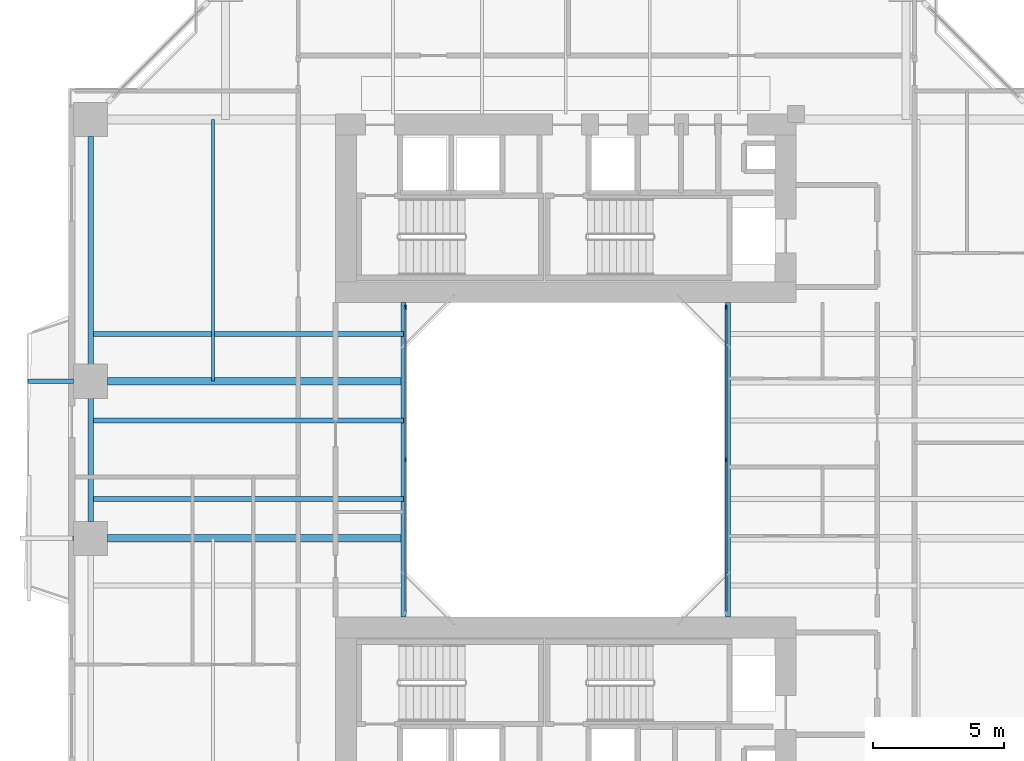
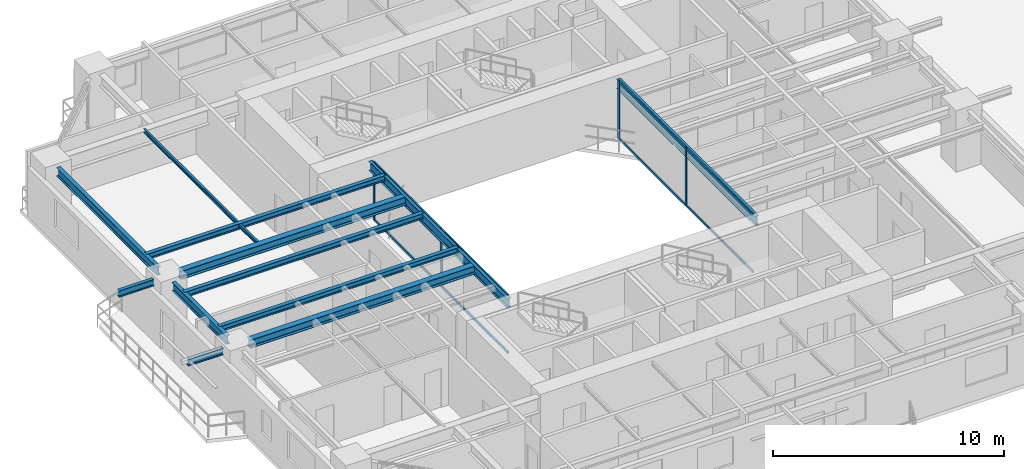
# One storey, part 3 of 22: 12 beams, 12 members, 2 elements without a shape of their own.
"""IFC4 building model written with IfcOpenShell, lengths in metres."""

from ifc_helpers import new_model, si_unit, direction, frame, origin, origin_2d, place, context, subcontext, project, spatial, rectangle, i_section, extrude, source, transform, mapped, material, layer, layer_set, material_profile, profile_set, type_object, element, aggregate, save


model = new_model("IFC4")

# Units and contexts
model_context = context("Model", 3, precision=1e-05, world=origin(), true_north=direction((0.0, 1.0)))
body_context = subcontext(model_context, "Body", "Model", "MODEL_VIEW")
ifc_project = project(units=[si_unit("LENGTHUNIT", "METRE"), si_unit("AREAUNIT", "SQUARE_METRE"), si_unit("VOLUMEUNIT", "CUBIC_METRE"), si_unit("PLANEANGLEUNIT", "RADIAN"), si_unit("MASSUNIT", "GRAM", prefix="KILO"), si_unit("THERMODYNAMICTEMPERATUREUNIT", "KELVIN"), si_unit("POWERUNIT", "WATT")], contexts=[model_context])

# Site, building, storey
site_placement = place(None, origin())
site = spatial("IfcSite", under=ifc_project, at=site_placement, CompositionType="ELEMENT")
building_placement = place(site_placement, origin())
building = spatial("IfcBuilding", under=site, at=building_placement, Name="Qiaomeng Ring Towers", CompositionType="ELEMENT")
storey_placement = place(building_placement, frame((0.0, 0.0, 23.0)))
storey = spatial("IfcBuildingStorey", under=building, at=storey_placement, Name="L05", CompositionType="ELEMENT", Elevation=23.0)

# Beams
ifc_material_1 = material(Name="Steel Q355B", Category="steel")
ifc_material_profile_1 = material_profile(ifc_material_1, i_section(OverallWidth=0.199951171875, OverallDepth=0.5, WebThickness=0.010009765625, FlangeThickness=0.01611328125, FilletRadius=0.02001953125, at=origin_2d()), Name="HN 500x200x10x16")
ifc_profile_set_1 = profile_set([ifc_material_profile_1], Name="Steel Q355B")
beam_type_1 = type_object("IfcBeamType", Name="STR-BM-HN500", PredefinedType="BEAM", material=ifc_profile_set_1)
shared_shape_1 = source(origin(), body_context, "Body", "SweptSolid", [
    extrude(i_section(OverallWidth=0.199951171875, OverallDepth=0.5, WebThickness=0.010009765625, FlangeThickness=0.01611328125, FilletRadius=0.02001953125, at=origin_2d()), origin(), (0.0, 0.0, 1.0), 12.0),
])
for number, where, z_axis, x_axis, name in (
    (1, (12.800048828125, 17.0, 2.820068359375), (0.0, 1.0, 0.0), (-1.0, 0.0, 0.0), "L05 beam STR-BM-L05-WELL-W"),
    (2, (25.199951171875, 17.0, 2.820068359375), (0.0, 1.0, 0.0), (-1.0, 0.0, 0.0), "L05 beam STR-BM-L05-WELL-E"),
):
    element("IfcBeam", number, at=place(storey_placement, frame(where, z_axis=z_axis, x_axis=x_axis)), inside=storey, type_object=beam_type_1, Name=name, PredefinedType="BEAM", context=body_context, shape_type="MappedRepresentation", body=[
        mapped(shared_shape_1, transform((0.0, 0.0, 0.0), x_axis=(1.0, 0.0, 0.0), y_axis=(0.0, 1.0, 0.0), z_axis=(0.0, 0.0, 1.0), scale=1.0)),
    ])
ifc_material_profile_2 = material_profile(ifc_material_1, i_section(OverallWidth=0.199951171875, OverallDepth=0.449951171875, WebThickness=0.009033203125, FlangeThickness=0.013916015625, FilletRadius=0.01806640625, at=origin_2d()), Name="HN 450x200x9x14")
ifc_profile_set_2 = profile_set([ifc_material_profile_2], Name="Steel Q355B")
beam_type_2 = type_object("IfcBeamType", Name="STR-BM-HN450", PredefinedType="SPANDREL", material=ifc_profile_set_2)
shared_shape_2 = source(origin(), body_context, "Body", "SweptSolid", [
    extrude(i_section(OverallWidth=0.199951171875, OverallDepth=0.449951171875, WebThickness=0.009033203125, FlangeThickness=0.013916015625, FilletRadius=0.01806640625, at=origin_2d()), origin(), (0.0, 0.0, 1.0), 8.7021484375),
])
beam_1_placement = place(storey_placement, frame((0.85009765625, 35.35107421875, 2.844970703125), z_axis=(0.0, -1.0, 0.0), x_axis=(1.0, 0.0, 0.0)))
element("IfcBeam", 3, at=beam_1_placement, inside=storey, type_object=beam_type_2, Name="L05 beam STR-SP-L05-T1-W4-W3", PredefinedType="SPANDREL", context=body_context, shape_type="MappedRepresentation", body=[
    mapped(shared_shape_2, transform((0.0, 0.0, 0.0), x_axis=(1.0, 0.0, 0.0), y_axis=(0.0, 1.0, 0.0), z_axis=(0.0, 0.0, 1.0), scale=1.0)),
])
shared_shape_3 = source(origin(), body_context, "Body", "SweptSolid", [
    extrude(i_section(OverallWidth=0.199951171875, OverallDepth=0.449951171875, WebThickness=0.009033203125, FlangeThickness=0.013916015625, FilletRadius=0.01806640625, at=origin_2d()), origin(), (0.0, 0.0, 1.0), 4.7021484375),
])
beam_2_placement = place(storey_placement, frame((0.85009765625, 25.35107421875, 2.844970703125), z_axis=(0.0, -1.0, 0.0), x_axis=(1.0, 0.0, 0.0)))
element("IfcBeam", 4, at=beam_2_placement, inside=storey, type_object=beam_type_2, Name="L05 beam STR-SP-L05-T1-W3-W2", PredefinedType="SPANDREL", context=body_context, shape_type="MappedRepresentation", body=[
    mapped(shared_shape_3, transform((0.0, 0.0, 0.0), x_axis=(1.0, 0.0, 0.0), y_axis=(0.0, 1.0, 0.0), z_axis=(0.0, 0.0, 1.0), scale=1.0)),
])
ifc_material_profile_3 = material_profile(ifc_material_1, i_section(OverallWidth=0.300048828125, OverallDepth=0.43994140625, WebThickness=0.010986328125, FlangeThickness=0.01806640625, FilletRadius=0.02392578125, at=origin_2d()), Name="HM 440x300x11x18")
ifc_profile_set_3 = profile_set([ifc_material_profile_3], Name="Steel Q355B")
beam_type_3 = type_object("IfcBeamType", Name="STR-BM-HM440", PredefinedType="BEAM", material=ifc_profile_set_3)
shared_shape_4 = source(origin(), body_context, "Body", "SweptSolid", [
    extrude(i_section(OverallWidth=0.300048828125, OverallDepth=0.43994140625, WebThickness=0.010986328125, FlangeThickness=0.01806640625, FilletRadius=0.02392578125, at=origin_2d()), origin(), (0.0, 0.0, 1.0), 11.301025390625),
])
for number, where, z_axis, x_axis, name in (
    (5, (1.4990234375, 20.0, 2.85009765625), (1.0, 0.0, 0.0), (0.0, 1.0, 0.0), "L05 beam STR-BM-L05-T1-RAD-W2"),
    (6, (1.4990234375, 26.0, 2.85009765625), (1.0, 0.0, 0.0), (0.0, 1.0, 0.0), "L05 beam STR-BM-L05-T1-RAD-W3"),
):
    element("IfcBeam", number, at=place(storey_placement, frame(where, z_axis=z_axis, x_axis=x_axis)), inside=storey, type_object=beam_type_3, Name=name, PredefinedType="BEAM", context=body_context, shape_type="MappedRepresentation", body=[
        mapped(shared_shape_4, transform((0.0, 0.0, 0.0), x_axis=(1.0, 0.0, 0.0), y_axis=(0.0, 1.0, 0.0), z_axis=(0.0, 0.0, 1.0), scale=1.0)),
    ])
ifc_material_profile_4 = material_profile(ifc_material_1, i_section(OverallWidth=0.199951171875, OverallDepth=0.2939453125, WebThickness=0.008056640625, FlangeThickness=0.011962890625, FilletRadius=0.01806640625, at=origin_2d()), Name="HM 294x200x8x12")
ifc_profile_set_4 = profile_set([ifc_material_profile_4], Name="Steel Q355B")
beam_type_4 = type_object("IfcBeamType", Name="STR-BM-HM294", PredefinedType="JOIST", material=ifc_profile_set_4)
shared_shape_5 = source(origin(), body_context, "Body", "SweptSolid", [
    extrude(i_section(OverallWidth=0.199951171875, OverallDepth=0.2939453125, WebThickness=0.008056640625, FlangeThickness=0.011962890625, FilletRadius=0.01806640625, at=origin_2d()), origin(), (0.0, 0.0, 1.0), 11.949951171875),
])
for number, where, z_axis, x_axis, name in (
    (7, (0.85009765625, 21.5, 2.923095703125), (1.0, 0.0, 0.0), (0.0, 1.0, 0.0), "L05 beam STR-JST-L05-T1W-2"),
    (8, (0.85009765625, 24.5, 2.923095703125), (1.0, 0.0, 0.0), (0.0, 1.0, 0.0), "L05 beam STR-JST-L05-T1W-3"),
    (9, (0.85009765625, 27.800048828125, 2.923095703125), (1.0, 0.0, 0.0), (0.0, 1.0, 0.0), "L05 beam STR-JST-L05-T1W-4"),
):
    element("IfcBeam", number, at=place(storey_placement, frame(where, z_axis=z_axis, x_axis=x_axis)), inside=storey, type_object=beam_type_4, Name=name, PredefinedType="JOIST", context=body_context, shape_type="MappedRepresentation", body=[
        mapped(shared_shape_5, transform((0.0, 0.0, 0.0), x_axis=(1.0, 0.0, 0.0), y_axis=(0.0, 1.0, 0.0), z_axis=(0.0, 0.0, 1.0), scale=1.0)),
    ])
ifc_material_profile_5 = material_profile(ifc_material_1, i_section(OverallWidth=0.10009765625, OverallDepth=0.199951171875, WebThickness=0.005615234375, FlangeThickness=0.008056640625, FilletRadius=0.010986328125, at=origin_2d()), Name="HN 200x100x5.5x8")
ifc_profile_set_5 = profile_set([ifc_material_profile_5], Name="Steel Q355B")
beam_type_5 = type_object("IfcBeamType", Name="STR-BM-HN200", PredefinedType="JOIST", material=ifc_profile_set_5)
shared_shape_6 = source(origin(), body_context, "Body", "SweptSolid", [
    extrude(i_section(OverallWidth=0.10009765625, OverallDepth=0.199951171875, WebThickness=0.005615234375, FlangeThickness=0.008056640625, FilletRadius=0.010986328125, at=origin_2d()), origin(), (0.0, 0.0, 1.0), 10.0),
])
beam_3_placement = place(storey_placement, frame((5.52490234375, 26.0, 2.969970703125), z_axis=(0.0, 1.0, 0.0), x_axis=(-1.0, 0.0, 0.0)))
element("IfcBeam", 10, at=beam_3_placement, inside=storey, type_object=beam_type_5, Name="L05 beam STR-JST-L05-T1C-WN", PredefinedType="JOIST", context=body_context, shape_type="MappedRepresentation", body=[
    mapped(shared_shape_6, transform((0.0, 0.0, 0.0), x_axis=(1.0, 0.0, 0.0), y_axis=(0.0, 1.0, 0.0), z_axis=(0.0, 0.0, 1.0), scale=1.0)),
])
ifc_material_profile_6 = material_profile(ifc_material_1, i_section(OverallWidth=0.175048828125, OverallDepth=0.35009765625, WebThickness=0.007080078125, FlangeThickness=0.010986328125, FilletRadius=0.013916015625, at=origin_2d()), Name="HN 350x175x7x11")
ifc_profile_set_6 = profile_set([ifc_material_profile_6], Name="Steel Q355B")
beam_type_6 = type_object("IfcBeamType", Name="STR-BM-HN350", PredefinedType="JOIST", material=ifc_profile_set_6)
shared_shape_7 = source(origin(), body_context, "Body", "SweptSolid", [
    extrude(i_section(OverallWidth=0.175048828125, OverallDepth=0.35009765625, WebThickness=0.007080078125, FlangeThickness=0.010986328125, FilletRadius=0.013916015625, at=origin_2d()), origin(), (0.0, 0.0, 1.0), 1.7509765625),
])
for number, where, z_axis, x_axis, name in (
    (11, (-1.550048828125, 20.0, 2.89501953125), (1.0, 0.0, 0.0), (0.0, 1.0, 0.0), "L05 beam STR-BALBM-L05-W2"),
    (12, (-1.550048828125, 26.0, 2.89501953125), (1.0, 0.0, 0.0), (0.0, 1.0, 0.0), "L05 beam STR-BALBM-L05-W3"),
):
    element("IfcBeam", number, at=place(storey_placement, frame(where, z_axis=z_axis, x_axis=x_axis)), inside=storey, type_object=beam_type_6, Name=name, PredefinedType="JOIST", context=body_context, shape_type="MappedRepresentation", body=[
        mapped(shared_shape_7, transform((0.0, 0.0, 0.0), x_axis=(1.0, 0.0, 0.0), y_axis=(0.0, 1.0, 0.0), z_axis=(0.0, 0.0, 1.0), scale=1.0)),
    ])

# Curtain wall, members
ifc_material_2 = material(Name="Fluorocarbon dark-grey aluminium", Category="aluminium")
ifc_layer = layer(ifc_material_2, 0.139892578125, Name="Fluorocarbon dark-grey aluminium")
ifc_layer_set = layer_set([ifc_layer], Name="Fluorocarbon dark-grey aluminium")
curtain_wall_type = type_object("IfcCurtainWallType", Name="ARC-CW-4", PredefinedType="NOTDEFINED", material=ifc_layer_set)
curtain_wall_1_placement = place(storey_placement, origin())
curtain_wall_1 = element("IfcCurtainWall", 13, at=curtain_wall_1_placement, inside=storey, type_object=curtain_wall_type, Name="L05 Curtain Wall CW4", PredefinedType="NOTDEFINED")
ifc_material_profile_7 = material_profile(ifc_material_2, rectangle(XDim=0.06494140625, YDim=0.159912109375, at=origin_2d()), Name="ALU MULL 65x160")
ifc_profile_set_7 = profile_set([ifc_material_profile_7], Name="Fluorocarbon dark-grey aluminium")
member_type_1 = type_object("IfcMemberType", Name="ARC-CWM-140", PredefinedType="MULLION", material=ifc_profile_set_7)
shared_shape_8 = source(origin(), body_context, "Body", "SweptSolid", [
    extrude(rectangle(XDim=0.06494140625, YDim=0.159912109375, at=origin_2d()), origin(), (0.0, 0.0, 1.0), 3.070068359375),
])
member_1_placement = place(storey_placement, frame((12.8798828125, 23.0, 0.0), z_axis=(0.0, 0.0, 1.0), x_axis=(-1.0, 0.0, 0.0)))
member_1 = element("IfcMember", 14, at=member_1_placement, type_object=member_type_1, Name="CW4 mullion 2", PredefinedType="MULLION", context=body_context, shape_type="MappedRepresentation", body=[
    mapped(shared_shape_8, transform((0.0, 0.0, 0.0), x_axis=(1.0, 0.0, 0.0), y_axis=(0.0, 1.0, 0.0), z_axis=(0.0, 0.0, 1.0), scale=1.0)),
])
member_2_placement = place(storey_placement, frame((12.8798828125, 28.8173828125, 0.0), z_axis=(0.0, 0.0, 1.0), x_axis=(-1.0, 0.0, 0.0)))
member_2 = element("IfcMember", 15, at=member_2_placement, type_object=member_type_1, Name="CW4 mullion 3", PredefinedType="MULLION", context=body_context, shape_type="MappedRepresentation", body=[
    mapped(shared_shape_8, transform((0.0, 0.0, 0.0), x_axis=(1.0, 0.0, 0.0), y_axis=(0.0, 1.0, 0.0), z_axis=(0.0, 0.0, 1.0), scale=1.0)),
])

curtain_wall_2_placement = place(storey_placement, origin())
curtain_wall_2 = element("IfcCurtainWall", 16, at=curtain_wall_2_placement, inside=storey, type_object=curtain_wall_type, Name="L05 Curtain Wall CW4", PredefinedType="NOTDEFINED")
member_3_placement = place(storey_placement, frame((25.1201171875, 23.0, 0.0), z_axis=(0.0, 0.0, 1.0), x_axis=(-1.0, 0.0, 0.0)))
member_3 = element("IfcMember", 17, at=member_3_placement, type_object=member_type_1, Name="CW4 mullion 2", PredefinedType="MULLION", context=body_context, shape_type="MappedRepresentation", body=[
    mapped(shared_shape_8, transform((0.0, 0.0, 0.0), x_axis=(1.0, 0.0, 0.0), y_axis=(0.0, 1.0, 0.0), z_axis=(0.0, 0.0, 1.0), scale=1.0)),
])
member_4_placement = place(storey_placement, frame((25.1201171875, 28.8173828125, 0.0), z_axis=(0.0, 0.0, 1.0), x_axis=(-1.0, 0.0, 0.0)))
member_4 = element("IfcMember", 18, at=member_4_placement, type_object=member_type_1, Name="CW4 mullion 3", PredefinedType="MULLION", context=body_context, shape_type="MappedRepresentation", body=[
    mapped(shared_shape_8, transform((0.0, 0.0, 0.0), x_axis=(1.0, 0.0, 0.0), y_axis=(0.0, 1.0, 0.0), z_axis=(0.0, 0.0, 1.0), scale=1.0)),
])

# Member
ifc_material_profile_8 = material_profile(ifc_material_2, rectangle(XDim=0.06494140625, YDim=0.1298828125, at=origin_2d()), Name="ALU TRAN 65x130")
ifc_profile_set_8 = profile_set([ifc_material_profile_8], Name="Fluorocarbon dark-grey aluminium")
member_type_2 = type_object("IfcMemberType", Name="ARC-CWT-120", PredefinedType="USERDEFINED", material=ifc_profile_set_8)
shared_shape_9 = source(origin(), body_context, "Body", "SweptSolid", [
    extrude(rectangle(XDim=0.06494140625, YDim=0.1298828125, at=origin_2d()), origin(), (0.0, 0.0, 1.0), 5.75244140625),
])
member_5_placement = place(storey_placement, frame((12.8798828125, 17.215087890625, 0.032470703125), z_axis=(0.0, 1.0, 0.0), x_axis=(-1.0, 0.0, 0.0)))
member_5 = element("IfcMember", 19, at=member_5_placement, type_object=member_type_2, Name="CW4 transom 1.1", ObjectType="TRANSOM", PredefinedType="USERDEFINED", context=body_context, shape_type="MappedRepresentation", body=[
    mapped(shared_shape_9, transform((0.0, 0.0, 0.0), x_axis=(1.0, 0.0, 0.0), y_axis=(0.0, 1.0, 0.0), z_axis=(0.0, 0.0, 1.0), scale=1.0)),
])

member_6_placement = place(storey_placement, frame((12.8798828125, 17.215087890625, 3.03759765625), z_axis=(0.0, 1.0, 0.0), x_axis=(-1.0, 0.0, 0.0)))
member_6 = element("IfcMember", 20, at=member_6_placement, type_object=member_type_2, Name="CW4 transom 1.2", ObjectType="TRANSOM", PredefinedType="USERDEFINED", context=body_context, shape_type="MappedRepresentation", body=[
    mapped(shared_shape_9, transform((0.0, 0.0, 0.0), x_axis=(1.0, 0.0, 0.0), y_axis=(0.0, 1.0, 0.0), z_axis=(0.0, 0.0, 1.0), scale=1.0)),
])

member_7_placement = place(storey_placement, frame((12.8798828125, 23.032470703125, 0.032470703125), z_axis=(0.0, 1.0, 0.0), x_axis=(-1.0, 0.0, 0.0)))
member_7 = element("IfcMember", 21, at=member_7_placement, type_object=member_type_2, Name="CW4 transom 2.1", ObjectType="TRANSOM", PredefinedType="USERDEFINED", context=body_context, shape_type="MappedRepresentation", body=[
    mapped(shared_shape_9, transform((0.0, 0.0, 0.0), x_axis=(1.0, 0.0, 0.0), y_axis=(0.0, 1.0, 0.0), z_axis=(0.0, 0.0, 1.0), scale=1.0)),
])

member_8_placement = place(storey_placement, frame((12.8798828125, 23.032470703125, 3.03759765625), z_axis=(0.0, 1.0, 0.0), x_axis=(-1.0, 0.0, 0.0)))
member_8 = element("IfcMember", 22, at=member_8_placement, type_object=member_type_2, Name="CW4 transom 2.2", ObjectType="TRANSOM", PredefinedType="USERDEFINED", context=body_context, shape_type="MappedRepresentation", body=[
    mapped(shared_shape_9, transform((0.0, 0.0, 0.0), x_axis=(1.0, 0.0, 0.0), y_axis=(0.0, 1.0, 0.0), z_axis=(0.0, 0.0, 1.0), scale=1.0)),
])

aggregate(curtain_wall_1, [member_1, member_2, member_5, member_6, member_7, member_8])

member_9_placement = place(storey_placement, frame((25.1201171875, 17.215087890625, 0.032470703125), z_axis=(0.0, 1.0, 0.0), x_axis=(-1.0, 0.0, 0.0)))
member_9 = element("IfcMember", 23, at=member_9_placement, type_object=member_type_2, Name="CW4 transom 1.1", ObjectType="TRANSOM", PredefinedType="USERDEFINED", context=body_context, shape_type="MappedRepresentation", body=[
    mapped(shared_shape_9, transform((0.0, 0.0, 0.0), x_axis=(1.0, 0.0, 0.0), y_axis=(0.0, 1.0, 0.0), z_axis=(0.0, 0.0, 1.0), scale=1.0)),
])

member_10_placement = place(storey_placement, frame((25.1201171875, 17.215087890625, 3.03759765625), z_axis=(0.0, 1.0, 0.0), x_axis=(-1.0, 0.0, 0.0)))
member_10 = element("IfcMember", 24, at=member_10_placement, type_object=member_type_2, Name="CW4 transom 1.2", ObjectType="TRANSOM", PredefinedType="USERDEFINED", context=body_context, shape_type="MappedRepresentation", body=[
    mapped(shared_shape_9, transform((0.0, 0.0, 0.0), x_axis=(1.0, 0.0, 0.0), y_axis=(0.0, 1.0, 0.0), z_axis=(0.0, 0.0, 1.0), scale=1.0)),
])

member_11_placement = place(storey_placement, frame((25.1201171875, 23.032470703125, 0.032470703125), z_axis=(0.0, 1.0, 0.0), x_axis=(-1.0, 0.0, 0.0)))
member_11 = element("IfcMember", 25, at=member_11_placement, type_object=member_type_2, Name="CW4 transom 2.1", ObjectType="TRANSOM", PredefinedType="USERDEFINED", context=body_context, shape_type="MappedRepresentation", body=[
    mapped(shared_shape_9, transform((0.0, 0.0, 0.0), x_axis=(1.0, 0.0, 0.0), y_axis=(0.0, 1.0, 0.0), z_axis=(0.0, 0.0, 1.0), scale=1.0)),
])

member_12_placement = place(storey_placement, frame((25.1201171875, 23.032470703125, 3.03759765625), z_axis=(0.0, 1.0, 0.0), x_axis=(-1.0, 0.0, 0.0)))
member_12 = element("IfcMember", 26, at=member_12_placement, type_object=member_type_2, Name="CW4 transom 2.2", ObjectType="TRANSOM", PredefinedType="USERDEFINED", context=body_context, shape_type="MappedRepresentation", body=[
    mapped(shared_shape_9, transform((0.0, 0.0, 0.0), x_axis=(1.0, 0.0, 0.0), y_axis=(0.0, 1.0, 0.0), z_axis=(0.0, 0.0, 1.0), scale=1.0)),
])

aggregate(curtain_wall_2, [member_3, member_4, member_9, member_10, member_11, member_12])

save(model, "model.ifc")
